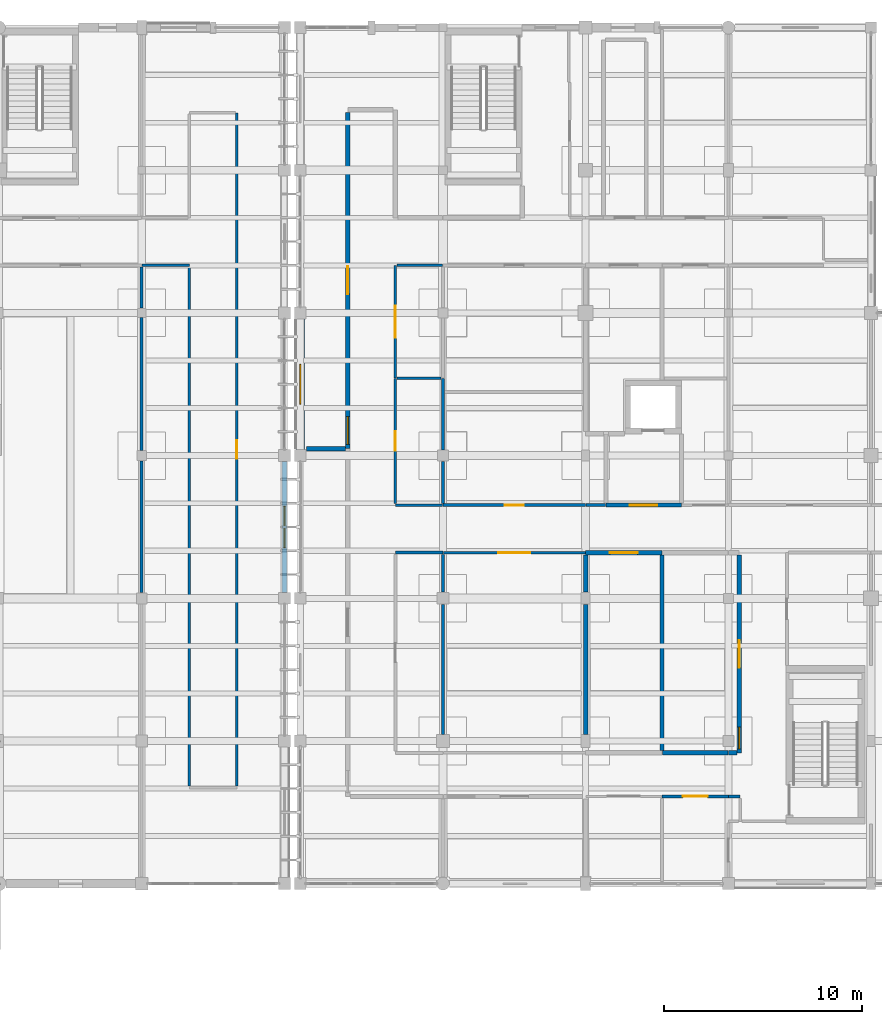
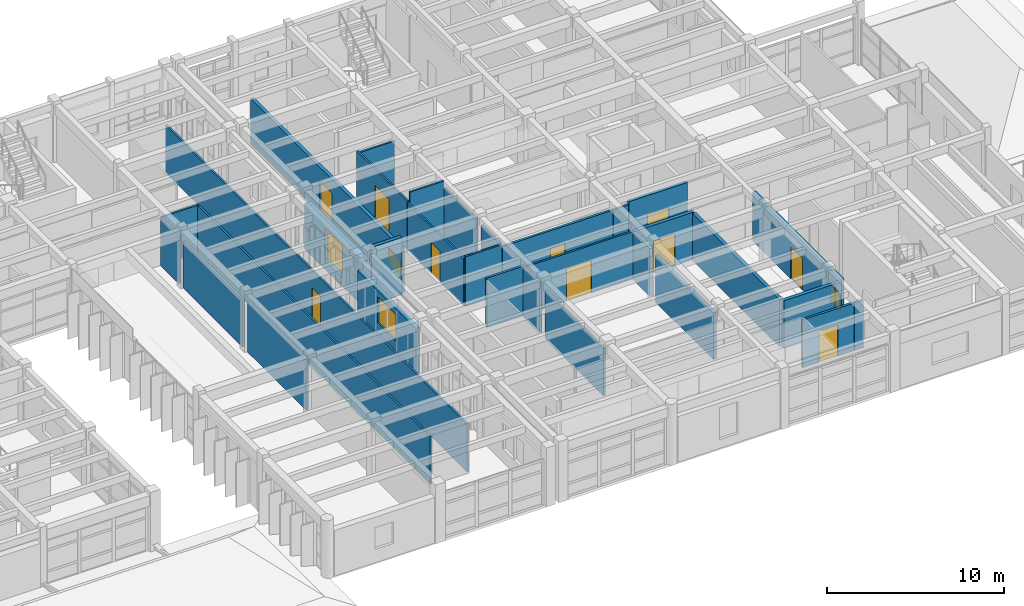
# One storey, part 78 of 100: 33 walls, 10 doors, 4 windows, 14 openings.
"""IFC4 building model written with IfcOpenShell, lengths in metres."""

from ifc_helpers import new_model, si_unit, direction, frame, frame_2d, origin, place, context, subcontext, project, spatial, rectangle, extrude, material, layer, layer_set, type_object, element, fill, save


model = new_model("IFC4")

# Units and contexts
model_context = context("Model", 3, precision=1e-05, world=origin(), true_north=direction((0.0, 1.0)))
body_context = subcontext(model_context, "Body", "Model", "MODEL_VIEW")
ifc_project = project(units=[si_unit("LENGTHUNIT", "METRE"), si_unit("AREAUNIT", "SQUARE_METRE"), si_unit("VOLUMEUNIT", "CUBIC_METRE"), si_unit("PLANEANGLEUNIT", "RADIAN"), si_unit("MASSUNIT", "GRAM", prefix="KILO")], contexts=[model_context])

# Site, building, storey
site_placement = place(None, origin())
site = spatial("IfcSite", under=ifc_project, at=site_placement, CompositionType="ELEMENT")
building_placement = place(site_placement, origin())
building = spatial("IfcBuilding", under=site, at=building_placement, Name="Steenspoor Specialist Clinic", CompositionType="ELEMENT")
storey_placement = place(building_placement, frame((0.0, 0.0, 9.0)))
storey = spatial("IfcBuildingStorey", under=building, at=storey_placement, Name="L02", CompositionType="ELEMENT", Elevation=9.0)

# Wall, opening, window
ifc_material_1 = material(Name="Extruded clay brick masonry", Category="masonry")
ifc_layer_1 = layer(ifc_material_1, 0.43994140625)
ifc_layer_set_1 = layer_set([ifc_layer_1], Name="Extruded clay brick masonry")
wall_type_1 = type_object("IfcWallType", Name="W-BRICK-440", PredefinedType="USERDEFINED", material=ifc_layer_set_1)
wall_1_placement = place(storey_placement, frame((118.0, 87.050048828125, 0.0), z_axis=(0.0, 0.0, 1.0), x_axis=(0.0, 1.0, 0.0)))
wall_1 = element("IfcWall", 1, at=wall_1_placement, inside=storey, type_object=wall_type_1, Name="Exterior Brick Wall EW-V6-L02-0330", ObjectType="CAVITY VENEER", PredefinedType="USERDEFINED", context=body_context, shape_type="SweptSolid", body=[
    extrude(rectangle(XDim=6.599853515625, YDim=0.43994140625, at=frame_2d((3.2998046875, 0.0))), origin(), (0.0, 0.0, 1.0), 3.1298828125),
])
opening_1_placement = place(wall_1_placement, frame((2.300048828125, 0.0, 0.60009765625)))
opening_1 = element("IfcOpeningElement", 2, at=opening_1_placement, cuts=wall_1, Name="Opening WN-17", PredefinedType="OPENING", context=body_context, shape_type="SweptSolid", body=[
    extrude(rectangle(XDim=2.0, YDim=2.199951171875, at=frame_2d((1.0, 1.10009765625))), frame((0.0, 0.22998046875, 0.0), z_axis=(0.0, -1.0, 0.0), x_axis=(1.0, 0.0, 0.0)), (0.0, 0.0, 1.0), 0.4599609375),
])
ifc_material_2 = material(Name="Thermally broken aluminium and low-emissivity glass", Category="aluminium")
window_type_1 = type_object("IfcWindowType", Name="WN-EXT-200X220", PartitioningType="SINGLE_PANEL", PredefinedType="WINDOW", material=ifc_material_2)
window_1_placement = place(opening_1_placement, origin())
window_1 = element("IfcWindow", 3, at=window_1_placement, inside=storey, type_object=window_type_1, Name="Window 0351", OverallHeight=2.199951171875, OverallWidth=2.0, PartitioningType="SINGLE_PANEL", PredefinedType="WINDOW", context=body_context, shape_type="SweptSolid", body=[
    extrude(rectangle(XDim=2.0, YDim=2.199951171875, at=frame_2d((1.0, 1.10009765625))), frame((0.0, 0.030029296875, 0.0), z_axis=(0.0, -1.0, 0.0), x_axis=(1.0, 0.0, 0.0)), (0.0, 0.0, 1.0), 0.06005859375),
])
fill(opening_1, window_1)

# Wall, opening, door
ifc_material_3 = material(Name="Gypsum acoustic clinical partition", Category="gypsum")
ifc_layer_2 = layer(ifc_material_3, 0.14990234375)
ifc_layer_set_2 = layer_set([ifc_layer_2], Name="Gypsum acoustic clinical partition")
wall_type_2 = type_object("IfcWallType", Name="W-CLIN-150", PredefinedType="PARTITIONING", material=ifc_layer_set_2)
wall_2_placement = place(storey_placement, frame((136.25, 69.550048828125, 0.0), z_axis=(0.0, 0.0, 1.0), x_axis=(1.0, 0.0, 0.0)))
wall_2 = element("IfcWall", 4, at=wall_2_placement, inside=storey, type_object=wall_type_2, Name="Interior Partition IW-V6-L02-1361", PredefinedType="PARTITIONING", context=body_context, shape_type="SweptSolid", body=[
    extrude(rectangle(XDim=3.35009765625, YDim=0.14990234375, at=frame_2d((1.675048828125, 0.0))), origin(), (0.0, 0.0, 1.0), 3.284912109375),
])
opening_2_placement = place(wall_2_placement, frame((1.050048828125, 0.0, 0.0)))
opening_2 = element("IfcOpeningElement", 5, at=opening_2_placement, cuts=wall_2, Name="Opening D0458", PredefinedType="OPENING", context=body_context, shape_type="SweptSolid", body=[
    extrude(rectangle(XDim=1.25, YDim=2.14990234375, at=frame_2d((0.625, 1.074951171875))), frame((0.0, 0.0849609375, 0.0), z_axis=(0.0, -1.0, 0.0), x_axis=(1.0, 0.0, 0.0)), (0.0, 0.0, 1.0), 0.169921875),
])
ifc_material_4 = material(Name="Hygienic HPL clinical timber door", Category="wood")
door_type_1 = type_object("IfcDoorType", Name="DT-EXAM-125X215", OperationType="NOTDEFINED", PredefinedType="DOOR", material=ifc_material_4)
door_1_placement = place(opening_2_placement, origin())
door_1 = element("IfcDoor", 6, at=door_1_placement, inside=storey, type_object=door_type_1, Name="Clinical Door D0458", OperationType="SINGLE_SWING_LEFT", OverallHeight=2.14990234375, OverallWidth=1.25, PredefinedType="DOOR", context=body_context, shape_type="SweptSolid", body=[
    extrude(rectangle(XDim=1.25, YDim=2.14990234375, at=frame_2d((0.625, 1.074951171875))), frame((0.0, 0.02490234375, 0.0), z_axis=(0.0, -1.0, 0.0), x_axis=(1.0, 0.0, 0.0)), (0.0, 0.0, 1.0), 0.050048828125),
])
fill(opening_2, door_1)

# Walls
wall_3_placement = place(storey_placement, frame((139.614990234375, 69.550048828125, 0.0), z_axis=(0.0, 0.0, 1.0), x_axis=(1.0, 0.0, 0.0)))
element("IfcWall", 7, at=wall_3_placement, inside=storey, type_object=wall_type_2, Name="Interior Partition IW-V6-L02-1362", PredefinedType="PARTITIONING", context=body_context, shape_type="SweptSolid", body=[
    extrude(rectangle(XDim=0.5849609375, YDim=0.14990234375, at=frame_2d((0.29248046875, 0.0))), origin(), (0.0, 0.0, 1.0), 3.284912109375),
])
wall_4_placement = place(storey_placement, frame((122.800048828125, 81.85009765625, 0.0), z_axis=(0.0, 0.0, 1.0), x_axis=(1.0, 0.0, 0.0)))
element("IfcWall", 8, at=wall_4_placement, inside=storey, type_object=wall_type_2, Name="Interior Partition IW-V6-L02-1366", PredefinedType="PARTITIONING", context=body_context, shape_type="SweptSolid", body=[
    extrude(rectangle(XDim=2.39990234375, YDim=0.14990234375, at=frame_2d((1.199951171875, 0.0))), origin(), (0.0, 0.0, 1.0), 3.4150390625),
])

# Wall, opening, door
wall_5_placement = place(storey_placement, frame((125.199951171875, 84.25, 0.0), z_axis=(0.0, 0.0, 1.0), x_axis=(1.0, 0.0, 0.0)))
wall_5 = element("IfcWall", 9, at=wall_5_placement, inside=storey, type_object=wall_type_2, Name="Interior Partition IW-V6-L02-1371", PredefinedType="PARTITIONING", context=body_context, shape_type="SweptSolid", body=[
    extrude(rectangle(XDim=7.199951171875, YDim=0.14990234375, at=frame_2d((3.60009765625, 0.0))), origin(), (0.0, 0.0, 1.0), 3.284912109375),
])
opening_3_placement = place(wall_5_placement, frame((3.125, 0.0, 0.0)))
opening_3 = element("IfcOpeningElement", 10, at=opening_3_placement, cuts=wall_5, Name="Opening D0468", PredefinedType="OPENING", context=body_context, shape_type="SweptSolid", body=[
    extrude(rectangle(XDim=0.949951171875, YDim=2.10009765625, at=frame_2d((0.47509765625, 1.050048828125))), frame((0.0, 0.0849609375, 0.0), z_axis=(0.0, -1.0, 0.0), x_axis=(1.0, 0.0, 0.0)), (0.0, 0.0, 1.0), 0.169921875),
])
ifc_material_5 = material(Name="Moisture-resistant HPL sanitary door", Category="wood")
door_type_2 = type_object("IfcDoorType", Name="DT-WC-095X210", OperationType="NOTDEFINED", PredefinedType="DOOR", material=ifc_material_5)
door_2_placement = place(opening_3_placement, origin())
door_2 = element("IfcDoor", 11, at=door_2_placement, inside=storey, type_object=door_type_2, Name="Clinical Door D0468", OperationType="SINGLE_SWING_LEFT", OverallHeight=2.10009765625, OverallWidth=0.949951171875, PredefinedType="DOOR", context=body_context, shape_type="SweptSolid", body=[
    extrude(rectangle(XDim=0.949951171875, YDim=2.10009765625, at=frame_2d((0.47509765625, 1.050048828125))), frame((0.0, 0.02490234375, 0.0), z_axis=(0.0, -1.0, 0.0), x_axis=(1.0, 0.0, 0.0)), (0.0, 0.0, 1.0), 0.050048828125),
])
fill(opening_3, door_2)

# Walls
wall_6_placement = place(storey_placement, frame((132.4150390625, 84.25, 0.0), z_axis=(0.0, 0.0, 1.0), x_axis=(1.0, 0.0, 0.0)))
element("IfcWall", 12, at=wall_6_placement, inside=storey, type_object=wall_type_2, Name="Interior Partition IW-V6-L02-1372", PredefinedType="PARTITIONING", context=body_context, shape_type="SweptSolid", body=[
    extrude(rectangle(XDim=0.994873046875, YDim=0.14990234375, at=frame_2d((0.49755859375, 0.0))), origin(), (0.0, 0.0, 1.0), 3.284912109375),
])
wall_7_placement = place(storey_placement, frame((110.0, 79.840087890625, 0.0), z_axis=(0.0, 0.0, 1.0), x_axis=(0.0, 1.0, 0.0)))
element("IfcWall", 13, at=wall_7_placement, inside=storey, type_object=wall_type_2, Name="Interior Partition IW-V4-L02-1467", PredefinedType="PARTITIONING", context=body_context, shape_type="SweptSolid", body=[
    extrude(rectangle(XDim=6.64501953125, YDim=0.14990234375, at=frame_2d((3.322509765625, 0.0))), origin(), (0.0, 0.0, 1.0), 3.455078125),
])
wall_8_placement = place(storey_placement, frame((110.0, 87.014892578125, 0.0), z_axis=(0.0, 0.0, 1.0), x_axis=(0.0, 1.0, 0.0)))
element("IfcWall", 14, at=wall_8_placement, inside=storey, type_object=wall_type_2, Name="Interior Partition IW-V4-L02-1468", PredefinedType="PARTITIONING", context=body_context, shape_type="SweptSolid", body=[
    extrude(rectangle(XDim=6.695068359375, YDim=0.14990234375, at=frame_2d((3.34765625, 0.0))), origin(), (0.0, 0.0, 1.0), 3.215087890625),
])
wall_9_placement = place(storey_placement, frame((110.0, 94.18994140625, 0.0), z_axis=(0.0, 0.0, 1.0), x_axis=(0.0, 1.0, 0.0)))
element("IfcWall", 15, at=wall_9_placement, inside=storey, type_object=wall_type_2, Name="Interior Partition IW-V4-L02-1469", PredefinedType="PARTITIONING", context=body_context, shape_type="SweptSolid", body=[
    extrude(rectangle(XDim=2.070068359375, YDim=0.14990234375, at=frame_2d((1.03515625, 0.0))), origin(), (0.0, 0.0, 1.0), 3.284912109375),
])
wall_10_placement = place(storey_placement, frame((125.199951171875, 72.68994140625, 0.0), z_axis=(0.0, 0.0, 1.0), x_axis=(0.0, 1.0, 0.0)))
element("IfcWall", 16, at=wall_10_placement, inside=storey, type_object=wall_type_2, Name="Interior Partition IW-V6-L02-1490", PredefinedType="PARTITIONING", context=body_context, shape_type="SweptSolid", body=[
    extrude(rectangle(XDim=6.545166015625, YDim=0.14990234375, at=frame_2d((3.2724609375, 0.0))), origin(), (0.0, 0.0, 1.0), 3.284912109375),
])
wall_11_placement = place(storey_placement, frame((125.199951171875, 79.864990234375, 0.0), z_axis=(0.0, 0.0, 1.0), x_axis=(0.0, 1.0, 0.0)))
element("IfcWall", 17, at=wall_11_placement, inside=storey, type_object=wall_type_2, Name="Interior Partition IW-V6-L02-1491", PredefinedType="PARTITIONING", context=body_context, shape_type="SweptSolid", body=[
    extrude(rectangle(XDim=1.89501953125, YDim=0.14990234375, at=frame_2d((0.947509765625, 0.0))), origin(), (0.0, 0.0, 1.0), 3.4150390625),
])
wall_12_placement = place(storey_placement, frame((125.199951171875, 84.340087890625, 0.0), z_axis=(0.0, 0.0, 1.0), x_axis=(0.0, 1.0, 0.0)))
element("IfcWall", 18, at=wall_12_placement, inside=storey, type_object=wall_type_2, Name="Interior Partition IW-V6-L02-1492", PredefinedType="PARTITIONING", context=body_context, shape_type="SweptSolid", body=[
    extrude(rectangle(XDim=2.119873046875, YDim=0.14990234375, at=frame_2d((1.06005859375, 0.0))), origin(), (0.0, 0.0, 1.0), 3.4150390625),
])
wall_13_placement = place(storey_placement, frame((125.199951171875, 87.0400390625, 0.0), z_axis=(0.0, 0.0, 1.0), x_axis=(0.0, 1.0, 0.0)))
element("IfcWall", 19, at=wall_13_placement, inside=storey, type_object=wall_type_2, Name="Interior Partition IW-V6-L02-1493", PredefinedType="PARTITIONING", context=body_context, shape_type="SweptSolid", body=[
    extrude(rectangle(XDim=3.60986328125, YDim=0.14990234375, at=frame_2d((1.804931640625, 0.0))), origin(), (0.0, 0.0, 1.0), 3.455078125),
])

# Wall, opening, door
ifc_material_6 = material(Name="Fire-rated clay blockwork masonry", Category="masonry")
ifc_layer_3 = layer(ifc_material_6, 0.219970703125)
ifc_layer_set_3 = layer_set([ifc_layer_3], Name="Fire-rated clay blockwork masonry")
wall_type_3 = type_object("IfcWallType", Name="W-FIRE-220", PredefinedType="PARTITIONING", material=ifc_layer_set_3)
wall_14_placement = place(storey_placement, frame((132.39990234375, 81.85009765625, 0.0), z_axis=(0.0, 0.0, 1.0), x_axis=(1.0, 0.0, 0.0)))
wall_14 = element("IfcWall", 20, at=wall_14_placement, inside=storey, type_object=wall_type_3, Name="Interior Partition IW-V6-L02-1273", PredefinedType="PARTITIONING", context=body_context, shape_type="SweptSolid", body=[
    extrude(rectangle(XDim=3.85009765625, YDim=0.219970703125, at=frame_2d((1.925048828125, 0.0))), origin(), (0.0, 0.0, 1.0), 3.284912109375),
])
opening_4_placement = place(wall_14_placement, frame((1.22509765625, 0.0, 0.0)))
opening_4 = element("IfcOpeningElement", 21, at=opening_4_placement, cuts=wall_14, Name="Opening D0464", PredefinedType="OPENING", context=body_context, shape_type="SweptSolid", body=[
    extrude(rectangle(XDim=1.39990234375, YDim=2.199951171875, at=frame_2d((0.699951171875, 1.10009765625))), frame((0.0, 0.1201171875, 0.0), z_axis=(0.0, -1.0, 0.0), x_axis=(1.0, 0.0, 0.0)), (0.0, 0.0, 1.0), 0.239990234375),
])
ifc_material_7 = material(Name="Fire-rated clinical laminate door", Category="steel")
door_type_3 = type_object("IfcDoorType", Name="DT-LAB-140X220", OperationType="NOTDEFINED", PredefinedType="DOOR", material=ifc_material_7)
door_3_placement = place(opening_4_placement, origin())
door_3 = element("IfcDoor", 22, at=door_3_placement, inside=storey, type_object=door_type_3, Name="Clinical Door D0464", OperationType="SINGLE_SWING_LEFT", OverallHeight=2.199951171875, OverallWidth=1.39990234375, PredefinedType="DOOR", context=body_context, shape_type="SweptSolid", body=[
    extrude(rectangle(XDim=1.39990234375, YDim=2.199951171875, at=frame_2d((0.699951171875, 1.10009765625))), frame((0.0, 0.02490234375, 0.0), z_axis=(0.0, -1.0, 0.0), x_axis=(1.0, 0.0, 0.0)), (0.0, 0.0, 1.0), 0.050048828125),
])
fill(opening_4, door_3)

# Wall, openings, door, window
wall_15_placement = place(storey_placement, frame((140.14990234375, 71.75, 0.0), z_axis=(0.0, 0.0, 1.0), x_axis=(0.0, 1.0, 0.0)))
wall_15 = element("IfcWall", 23, at=wall_15_placement, inside=storey, type_object=wall_type_3, Name="Interior Partition IW-V6-L02-1276", PredefinedType="PARTITIONING", context=body_context, shape_type="SweptSolid", body=[
    extrude(rectangle(XDim=9.97509765625, YDim=0.219970703125, at=frame_2d((4.987548828125, 0.0))), origin(), (0.0, 0.0, 1.0), 3.35498046875),
])
opening_5_placement = place(wall_15_placement, frame((4.28759765625, 0.0, 0.0)))
opening_5 = element("IfcOpeningElement", 24, at=opening_5_placement, cuts=wall_15, Name="Opening D0465", PredefinedType="OPENING", context=body_context, shape_type="SweptSolid", body=[
    extrude(rectangle(XDim=1.39990234375, YDim=2.199951171875, at=frame_2d((0.699951171875, 1.10009765625))), frame((0.0, 0.1201171875, 0.0), z_axis=(0.0, -1.0, 0.0), x_axis=(1.0, 0.0, 0.0)), (0.0, 0.0, 1.0), 0.239990234375),
])
opening_6_placement = place(wall_15_placement, frame((0.199951171875, 0.0, 1.050048828125)))
opening_6 = element("IfcOpeningElement", 25, at=opening_6_placement, cuts=wall_15, Name="Opening IWN-02", PredefinedType="OPENING", context=body_context, shape_type="SweptSolid", body=[
    extrude(rectangle(XDim=1.10009765625, YDim=1.10009765625, at=frame_2d((0.550048828125, 0.550048828125))), frame((0.0, 0.1201171875, 0.0), z_axis=(0.0, -1.0, 0.0), x_axis=(1.0, 0.0, 0.0)), (0.0, 0.0, 1.0), 0.239990234375),
])
door_4_placement = place(opening_5_placement, origin())
door_4 = element("IfcDoor", 26, at=door_4_placement, inside=storey, type_object=door_type_3, Name="Clinical Door D0465", OperationType="SINGLE_SWING_RIGHT", OverallHeight=2.199951171875, OverallWidth=1.39990234375, PredefinedType="DOOR", context=body_context, shape_type="SweptSolid", body=[
    extrude(rectangle(XDim=1.39990234375, YDim=2.199951171875, at=frame_2d((0.699951171875, 1.10009765625))), frame((0.0, 0.02490234375, 0.0), z_axis=(0.0, -1.0, 0.0), x_axis=(1.0, 0.0, 0.0)), (0.0, 0.0, 1.0), 0.050048828125),
])
fill(opening_5, door_4)
window_type_2 = type_object("IfcWindowType", Name="IWND-OBS-110X110", PartitioningType="SINGLE_PANEL", PredefinedType="WINDOW", material=ifc_material_2)
window_2_placement = place(opening_6_placement, origin())
window_2 = element("IfcWindow", 27, at=window_2_placement, inside=storey, type_object=window_type_2, Name="Observation Window 024", OverallHeight=1.10009765625, OverallWidth=1.10009765625, PartitioningType="SINGLE_PANEL", PredefinedType="WINDOW", context=body_context, shape_type="SweptSolid", body=[
    extrude(rectangle(XDim=1.10009765625, YDim=1.10009765625, at=frame_2d((0.550048828125, 0.550048828125))), frame((0.0, 0.030029296875, 0.0), z_axis=(0.0, -1.0, 0.0), x_axis=(1.0, 0.0, 0.0)), (0.0, 0.0, 1.0), 0.06005859375),
])
fill(opening_6, window_2)

# Walls
wall_16_placement = place(storey_placement, frame((139.60009765625, 71.75, 0.0), z_axis=(0.0, 0.0, 1.0), x_axis=(1.0, 0.0, 0.0)))
element("IfcWall", 28, at=wall_16_placement, inside=storey, type_object=wall_type_3, Name="Interior Partition IW-V6-L02-1277", PredefinedType="PARTITIONING", context=body_context, shape_type="SweptSolid", body=[
    extrude(rectangle(XDim=0.4248046875, YDim=0.219970703125, at=frame_2d((0.21240234375, 0.0))), origin(), (0.0, 0.0, 1.0), 3.284912109375),
])
wall_17_placement = place(storey_placement, frame((136.264892578125, 71.75, 0.0), z_axis=(0.0, 0.0, 1.0), x_axis=(1.0, 0.0, 0.0)))
element("IfcWall", 29, at=wall_17_placement, inside=storey, type_object=wall_type_3, Name="Interior Partition IW-V6-L02-1278", PredefinedType="PARTITIONING", context=body_context, shape_type="SweptSolid", body=[
    extrude(rectangle(XDim=3.320068359375, YDim=0.219970703125, at=frame_2d((1.66015625, 0.0))), origin(), (0.0, 0.0, 1.0), 3.284912109375),
])

# Wall, openings, door, window
wall_18_placement = place(storey_placement, frame((120.39990234375, 87.114990234375, 0.0), z_axis=(0.0, 0.0, 1.0), x_axis=(0.0, 1.0, 0.0)))
wall_18 = element("IfcWall", 30, at=wall_18_placement, inside=storey, type_object=wall_type_3, Name="Interior Partition IW-V6-L02-1282", PredefinedType="PARTITIONING", context=body_context, shape_type="SweptSolid", body=[
    extrude(rectangle(XDim=16.9599609375, YDim=0.219970703125, at=frame_2d((8.47998046875, 0.0))), origin(), (0.0, 0.0, 1.0), 3.135009765625),
])
opening_7_placement = place(wall_18_placement, frame((7.780029296875, 0.0, 0.0)))
opening_7 = element("IfcOpeningElement", 31, at=opening_7_placement, cuts=wall_18, Name="Opening D0472", PredefinedType="OPENING", context=body_context, shape_type="SweptSolid", body=[
    extrude(rectangle(XDim=1.39990234375, YDim=2.199951171875, at=frame_2d((0.699951171875, 1.10009765625))), frame((0.0, 0.1201171875, 0.0), z_axis=(0.0, -1.0, 0.0), x_axis=(1.0, 0.0, 0.0)), (0.0, 0.0, 1.0), 0.239990234375),
])
opening_8_placement = place(wall_18_placement, frame((0.199951171875, 0.0, 1.050048828125)))
opening_8 = element("IfcOpeningElement", 32, at=opening_8_placement, cuts=wall_18, Name="Opening IWN-01", PredefinedType="OPENING", context=body_context, shape_type="SweptSolid", body=[
    extrude(rectangle(XDim=1.39990234375, YDim=1.10009765625, at=frame_2d((0.699951171875, 0.550048828125))), frame((0.0, 0.1201171875, 0.0), z_axis=(0.0, -1.0, 0.0), x_axis=(1.0, 0.0, 0.0)), (0.0, 0.0, 1.0), 0.239990234375),
])
door_5_placement = place(opening_7_placement, origin())
door_5 = element("IfcDoor", 33, at=door_5_placement, inside=storey, type_object=door_type_3, Name="Clinical Door D0472", OperationType="SINGLE_SWING_LEFT", OverallHeight=2.199951171875, OverallWidth=1.39990234375, PredefinedType="DOOR", context=body_context, shape_type="SweptSolid", body=[
    extrude(rectangle(XDim=1.39990234375, YDim=2.199951171875, at=frame_2d((0.699951171875, 1.10009765625))), frame((0.0, 0.02490234375, 0.0), z_axis=(0.0, -1.0, 0.0), x_axis=(1.0, 0.0, 0.0)), (0.0, 0.0, 1.0), 0.050048828125),
])
fill(opening_7, door_5)
window_type_3 = type_object("IfcWindowType", Name="IWND-OBS-140X110", PartitioningType="SINGLE_PANEL", PredefinedType="WINDOW", material=ifc_material_2)
window_3_placement = place(opening_8_placement, origin())
window_3 = element("IfcWindow", 34, at=window_3_placement, inside=storey, type_object=window_type_3, Name="Observation Window 025", OverallHeight=1.10009765625, OverallWidth=1.39990234375, PartitioningType="SINGLE_PANEL", PredefinedType="WINDOW", context=body_context, shape_type="SweptSolid", body=[
    extrude(rectangle(XDim=1.39990234375, YDim=1.10009765625, at=frame_2d((0.699951171875, 0.550048828125))), frame((0.0, 0.030029296875, 0.0), z_axis=(0.0, -1.0, 0.0), x_axis=(1.0, 0.0, 0.0)), (0.0, 0.0, 1.0), 0.06005859375),
])
fill(opening_8, window_3)

# Walls
wall_19_placement = place(storey_placement, frame((118.31494140625, 87.10009765625, 0.0), z_axis=(0.0, 0.0, 1.0), x_axis=(1.0, 0.0, 0.0)))
element("IfcWall", 35, at=wall_19_placement, inside=storey, type_object=wall_type_3, Name="Interior Partition IW-V6-L02-1435", PredefinedType="PARTITIONING", context=body_context, shape_type="SweptSolid", body=[
    extrude(rectangle(XDim=1.9599609375, YDim=0.219970703125, at=frame_2d((0.97998046875, 0.0))), origin(), (0.0, 0.0, 1.0), 3.949951171875),
])
wall_20_placement = place(storey_placement, frame((132.39990234375, 72.68994140625, 0.0), z_axis=(0.0, 0.0, 1.0), x_axis=(0.0, 1.0, 0.0)))
element("IfcWall", 36, at=wall_20_placement, inside=storey, type_object=wall_type_3, Name="Interior Partition IW-V6-L02-1437", PredefinedType="PARTITIONING", context=body_context, shape_type="SweptSolid", body=[
    extrude(rectangle(XDim=6.545166015625, YDim=0.219970703125, at=frame_2d((3.2724609375, 0.0))), origin(), (0.0, 0.0, 1.0), 3.215087890625),
])
wall_21_placement = place(storey_placement, frame((132.39990234375, 79.864990234375, 0.0), z_axis=(0.0, 0.0, 1.0), x_axis=(0.0, 1.0, 0.0)))
element("IfcWall", 37, at=wall_21_placement, inside=storey, type_object=wall_type_3, Name="Interior Partition IW-V6-L02-1438", PredefinedType="PARTITIONING", context=body_context, shape_type="SweptSolid", body=[
    extrude(rectangle(XDim=1.860107421875, YDim=0.219970703125, at=frame_2d((0.93017578125, 0.0))), origin(), (0.0, 0.0, 1.0), 3.284912109375),
])
wall_22_placement = place(storey_placement, frame((136.25, 71.875, 0.0), z_axis=(0.0, 0.0, 1.0), x_axis=(0.0, 1.0, 0.0)))
element("IfcWall", 38, at=wall_22_placement, inside=storey, type_object=wall_type_3, Name="Interior Partition IW-V6-L02-1439", PredefinedType="PARTITIONING", context=body_context, shape_type="SweptSolid", body=[
    extrude(rectangle(XDim=9.85009765625, YDim=0.219970703125, at=frame_2d((4.925048828125, 0.0))), origin(), (0.0, 0.0, 1.0), 3.235107421875),
])

# Wall, opening, door
ifc_material_8 = material(Name="Gypsum studio partition board", Category="gypsum")
ifc_layer_4 = layer(ifc_material_8, 0.1201171875)
ifc_layer_set_4 = layer_set([ifc_layer_4], Name="Gypsum studio partition board")
wall_type_4 = type_object("IfcWallType", Name="W-PART-120", PredefinedType="PARTITIONING", material=ifc_layer_set_4)
wall_23_placement = place(storey_placement, frame((114.800048828125, 70.074951171875, 0.0), z_axis=(0.0, 0.0, 1.0), x_axis=(0.0, 1.0, 0.0)))
wall_23 = element("IfcWall", 39, at=wall_23_placement, inside=storey, type_object=wall_type_4, Name="Interior Partition IW-V4-L02-1382", PredefinedType="PARTITIONING", context=body_context, shape_type="SweptSolid", body=[
    extrude(rectangle(XDim=33.97509765625, YDim=0.1201171875, at=frame_2d((16.987548828125, 0.0))), origin(), (0.0, 0.0, 1.0), 3.284912109375),
])
opening_9_placement = place(wall_23_placement, frame((16.512451171875, 0.0, 0.0)))
opening_9 = element("IfcOpeningElement", 40, at=opening_9_placement, cuts=wall_23, Name="Opening D0234", PredefinedType="OPENING", context=body_context, shape_type="SweptSolid", body=[
    extrude(rectangle(XDim=0.949951171875, YDim=2.10009765625, at=frame_2d((0.47509765625, 1.050048828125))), frame((0.0, 0.070068359375, 0.0), z_axis=(0.0, -1.0, 0.0), x_axis=(1.0, 0.0, 0.0)), (0.0, 0.0, 1.0), 0.14013671875),
])
door_6_placement = place(opening_9_placement, origin())
door_6 = element("IfcDoor", 41, at=door_6_placement, inside=storey, type_object=door_type_2, Name="Clinical Door D0234", OperationType="SINGLE_SWING_LEFT", OverallHeight=2.10009765625, OverallWidth=0.949951171875, PredefinedType="DOOR", context=body_context, shape_type="SweptSolid", body=[
    extrude(rectangle(XDim=0.949951171875, YDim=2.10009765625, at=frame_2d((0.47509765625, 1.050048828125))), frame((0.0, 0.02490234375, 0.0), z_axis=(0.0, -1.0, 0.0), x_axis=(1.0, 0.0, 0.0)), (0.0, 0.0, 1.0), 0.050048828125),
])
fill(opening_9, door_6)

# Walls
wall_24_placement = place(storey_placement, frame((110.014892578125, 96.35009765625, 0.0), z_axis=(0.0, 0.0, 1.0), x_axis=(1.0, 0.0, 0.0)))
element("IfcWall", 42, at=wall_24_placement, inside=storey, type_object=wall_type_4, Name="Interior Partition IW-V4-L02-1386", PredefinedType="PARTITIONING", context=body_context, shape_type="SweptSolid", body=[
    extrude(rectangle(XDim=2.385009765625, YDim=0.1201171875, at=frame_2d((1.1923828125, 0.0))), origin(), (0.0, 0.0, 1.0), 3.284912109375),
])
wall_25_placement = place(storey_placement, frame((112.39990234375, 70.074951171875, 0.0), z_axis=(0.0, 0.0, 1.0), x_axis=(0.0, 1.0, 0.0)))
element("IfcWall", 43, at=wall_25_placement, inside=storey, type_object=wall_type_4, Name="Interior Partition IW-V4-L02-1387", PredefinedType="PARTITIONING", context=body_context, shape_type="SweptSolid", body=[
    extrude(rectangle(XDim=26.199951171875, YDim=0.1201171875, at=frame_2d((13.10009765625, 0.0))), origin(), (0.0, 0.0, 1.0), 3.284912109375),
])

# Wall, opening, door
wall_26_placement = place(storey_placement, frame((125.215087890625, 81.85009765625, 0.0), z_axis=(0.0, 0.0, 1.0), x_axis=(1.0, 0.0, 0.0)))
wall_26 = element("IfcWall", 44, at=wall_26_placement, inside=storey, type_object=wall_type_4, Name="Interior Partition IW-V6-L02-1405", PredefinedType="PARTITIONING", context=body_context, shape_type="SweptSolid", body=[
    extrude(rectangle(XDim=7.169921875, YDim=0.1201171875, at=frame_2d((3.5849609375, 0.0))), origin(), (0.0, 0.0, 1.0), 3.284912109375),
])
opening_10_placement = place(wall_26_placement, frame((2.784912109375, 0.0, 0.0)))
opening_10 = element("IfcOpeningElement", 45, at=opening_10_placement, cuts=wall_26, Name="Opening D0463", PredefinedType="OPENING", context=body_context, shape_type="SweptSolid", body=[
    extrude(rectangle(XDim=1.60009765625, YDim=2.25, at=frame_2d((0.800048828125, 1.125))), frame((0.0, 0.070068359375, 0.0), z_axis=(0.0, -1.0, 0.0), x_axis=(1.0, 0.0, 0.0)), (0.0, 0.0, 1.0), 0.14013671875),
])
door_type_4 = type_object("IfcDoorType", Name="DT-PROC-160X225", OperationType="NOTDEFINED", PredefinedType="DOOR", material=ifc_material_4)
door_7_placement = place(opening_10_placement, origin())
door_7 = element("IfcDoor", 46, at=door_7_placement, inside=storey, type_object=door_type_4, Name="Clinical Door D0463", OperationType="SINGLE_SWING_RIGHT", OverallHeight=2.25, OverallWidth=1.60009765625, PredefinedType="DOOR", context=body_context, shape_type="SweptSolid", body=[
    extrude(rectangle(XDim=1.60009765625, YDim=2.25, at=frame_2d((0.800048828125, 1.125))), frame((0.0, 0.02490234375, 0.0), z_axis=(0.0, -1.0, 0.0), x_axis=(1.0, 0.0, 0.0)), (0.0, 0.0, 1.0), 0.050048828125),
])
fill(opening_10, door_7)

# Wall
wall_27_placement = place(storey_placement, frame((122.800048828125, 84.25, 0.0), z_axis=(0.0, 0.0, 1.0), x_axis=(1.0, 0.0, 0.0)))
element("IfcWall", 47, at=wall_27_placement, inside=storey, type_object=wall_type_4, Name="Interior Partition IW-V6-L02-1407", PredefinedType="PARTITIONING", context=body_context, shape_type="SweptSolid", body=[
    extrude(rectangle(XDim=2.385009765625, YDim=0.1201171875, at=frame_2d((1.1923828125, 0.0))), origin(), (0.0, 0.0, 1.0), 3.4150390625),
])

# Wall, opening, door
wall_28_placement = place(storey_placement, frame((122.800048828125, 84.324951171875, 0.0), z_axis=(0.0, 0.0, 1.0), x_axis=(0.0, 1.0, 0.0)))
wall_28 = element("IfcWall", 48, at=wall_28_placement, inside=storey, type_object=wall_type_4, Name="Interior Partition IW-V6-L02-1408", PredefinedType="PARTITIONING", context=body_context, shape_type="SweptSolid", body=[
    extrude(rectangle(XDim=6.324951171875, YDim=0.1201171875, at=frame_2d((3.16259765625, 0.0))), origin(), (0.0, 0.0, 1.0), 3.235107421875),
])
opening_11_placement = place(wall_28_placement, frame((2.66259765625, 0.0, 0.0)))
opening_11 = element("IfcOpeningElement", 49, at=opening_11_placement, cuts=wall_28, Name="Opening D0467", PredefinedType="OPENING", context=body_context, shape_type="SweptSolid", body=[
    extrude(rectangle(XDim=1.0, YDim=2.14990234375, at=frame_2d((0.5, 1.074951171875))), frame((0.0, 0.070068359375, 0.0), z_axis=(0.0, -1.0, 0.0), x_axis=(1.0, 0.0, 0.0)), (0.0, 0.0, 1.0), 0.14013671875),
])
ifc_material_9 = material(Name="Moisture-resistant HPL accessible WC door", Category="wood")
door_type_5 = type_object("IfcDoorType", Name="DT-AWC-100X215", OperationType="NOTDEFINED", PredefinedType="DOOR", material=ifc_material_9)
door_8_placement = place(opening_11_placement, origin())
door_8 = element("IfcDoor", 50, at=door_8_placement, inside=storey, type_object=door_type_5, Name="Clinical Door D0467", OperationType="SINGLE_SWING_RIGHT", OverallHeight=2.14990234375, OverallWidth=1.0, PredefinedType="DOOR", context=body_context, shape_type="SweptSolid", body=[
    extrude(rectangle(XDim=1.0, YDim=2.14990234375, at=frame_2d((0.5, 1.074951171875))), frame((0.0, 0.02490234375, 0.0), z_axis=(0.0, -1.0, 0.0), x_axis=(1.0, 0.0, 0.0)), (0.0, 0.0, 1.0), 0.050048828125),
])
fill(opening_11, door_8)

wall_29_placement = place(storey_placement, frame((122.800048828125, 90.6650390625, 0.0), z_axis=(0.0, 0.0, 1.0), x_axis=(0.0, 1.0, 0.0)))
wall_29 = element("IfcWall", 51, at=wall_29_placement, inside=storey, type_object=wall_type_4, Name="Interior Partition IW-V6-L02-1411", PredefinedType="PARTITIONING", context=body_context, shape_type="SweptSolid", body=[
    extrude(rectangle(XDim=5.68505859375, YDim=0.1201171875, at=frame_2d((2.842529296875, 0.0))), origin(), (0.0, 0.0, 1.0), 3.35498046875),
])
opening_12_placement = place(wall_29_placement, frame((2.04248046875, 0.0, 0.0)))
opening_12 = element("IfcOpeningElement", 52, at=opening_12_placement, cuts=wall_29, Name="Opening D0475", PredefinedType="OPENING", context=body_context, shape_type="SweptSolid", body=[
    extrude(rectangle(XDim=1.60009765625, YDim=2.25, at=frame_2d((0.800048828125, 1.125))), frame((0.0, 0.070068359375, 0.0), z_axis=(0.0, -1.0, 0.0), x_axis=(1.0, 0.0, 0.0)), (0.0, 0.0, 1.0), 0.14013671875),
])
door_9_placement = place(opening_12_placement, origin())
door_9 = element("IfcDoor", 53, at=door_9_placement, inside=storey, type_object=door_type_4, Name="Clinical Door D0475", OperationType="SINGLE_SWING_RIGHT", OverallHeight=2.25, OverallWidth=1.60009765625, PredefinedType="DOOR", context=body_context, shape_type="SweptSolid", body=[
    extrude(rectangle(XDim=1.60009765625, YDim=2.25, at=frame_2d((0.800048828125, 1.125))), frame((0.0, 0.02490234375, 0.0), z_axis=(0.0, -1.0, 0.0), x_axis=(1.0, 0.0, 0.0)), (0.0, 0.0, 1.0), 0.050048828125),
])
fill(opening_12, door_9)

# Walls
wall_30_placement = place(storey_placement, frame((122.875, 96.35009765625, 0.0), z_axis=(0.0, 0.0, 1.0), x_axis=(1.0, 0.0, 0.0)))
element("IfcWall", 54, at=wall_30_placement, inside=storey, type_object=wall_type_4, Name="Interior Partition IW-V6-L02-1412", PredefinedType="PARTITIONING", context=body_context, shape_type="SweptSolid", body=[
    extrude(rectangle(XDim=2.31005859375, YDim=0.1201171875, at=frame_2d((1.155029296875, 0.0))), origin(), (0.0, 0.0, 1.0), 3.215087890625),
])
wall_31_placement = place(storey_placement, frame((122.875, 90.64990234375, 0.0), z_axis=(0.0, 0.0, 1.0), x_axis=(1.0, 0.0, 0.0)))
element("IfcWall", 55, at=wall_31_placement, inside=storey, type_object=wall_type_4, Name="Interior Partition IW-V6-L02-1513", PredefinedType="PARTITIONING", context=body_context, shape_type="SweptSolid", body=[
    extrude(rectangle(XDim=2.235107421875, YDim=0.1201171875, at=frame_2d((1.11767578125, 0.0))), origin(), (0.0, 0.0, 1.0), 3.949951171875),
])

# Wall, opening, window
ifc_layer_5 = layer(ifc_material_1, 0.260009765625)
ifc_layer_set_5 = layer_set([ifc_layer_5], Name="Extruded clay brick masonry")
wall_type_5 = type_object("IfcWallType", Name="W-SCREEN-260", PredefinedType="SOLIDWALL", material=ifc_layer_set_5)
wall_32_placement = place(storey_placement, frame((117.199951171875, 86.449951171875, 0.0), z_axis=(0.0, 0.0, 1.0), x_axis=(0.0, -1.0, 0.0)))
wall_32 = element("IfcWall", 56, at=wall_32_placement, inside=storey, type_object=wall_type_5, Name="Exterior Brick Wall EW-V4-L02-0149", PredefinedType="SOLIDWALL", context=body_context, shape_type="SweptSolid", body=[
    extrude(rectangle(XDim=6.599853515625, YDim=0.260009765625, at=frame_2d((3.2998046875, 0.0))), origin(), (0.0, 0.0, 1.0), 3.1298828125),
])
opening_13_placement = place(wall_32_placement, frame((2.25, 0.0, 0.89990234375)))
opening_13 = element("IfcOpeningElement", 57, at=opening_13_placement, cuts=wall_32, Name="Opening WN-09", PredefinedType="OPENING", context=body_context, shape_type="SweptSolid", body=[
    extrude(rectangle(XDim=2.10009765625, YDim=1.800048828125, at=frame_2d((1.050048828125, 0.89990234375))), frame((0.0, 0.14013671875, 0.0), z_axis=(0.0, -1.0, 0.0), x_axis=(1.0, 0.0, 0.0)), (0.0, 0.0, 1.0), 0.280029296875),
])
window_type_4 = type_object("IfcWindowType", Name="WN-EXT-210X180", PartitioningType="SINGLE_PANEL", PredefinedType="WINDOW", material=ifc_material_2)
window_4_placement = place(opening_13_placement, origin())
window_4 = element("IfcWindow", 58, at=window_4_placement, inside=storey, type_object=window_type_4, Name="Window 0175", OverallHeight=1.800048828125, OverallWidth=2.10009765625, PartitioningType="SINGLE_PANEL", PredefinedType="WINDOW", context=body_context, shape_type="SweptSolid", body=[
    extrude(rectangle(XDim=2.10009765625, YDim=1.800048828125, at=frame_2d((1.050048828125, 0.89990234375))), frame((0.0, 0.030029296875, 0.0), z_axis=(0.0, -1.0, 0.0), x_axis=(1.0, 0.0, 0.0)), (0.0, 0.0, 1.0), 0.06005859375),
])
fill(opening_13, window_4)

# Wall, opening, door
ifc_material_10 = material(Name="Gypsum acoustic smoke barrier board", Category="gypsum")
ifc_layer_6 = layer(ifc_material_10, 0.199951171875)
ifc_layer_set_6 = layer_set([ifc_layer_6], Name="Gypsum acoustic smoke barrier board")
wall_type_6 = type_object("IfcWallType", Name="W-SMOKE-200", PredefinedType="PARTITIONING", material=ifc_layer_set_6)
wall_33_placement = place(storey_placement, frame((133.425048828125, 84.25, 0.0), z_axis=(0.0, 0.0, 1.0), x_axis=(1.0, 0.0, 0.0)))
wall_33 = element("IfcWall", 59, at=wall_33_placement, inside=storey, type_object=wall_type_6, Name="Interior Partition IW-V6-L02-1242", PredefinedType="PARTITIONING", context=body_context, shape_type="SweptSolid", body=[
    extrude(rectangle(XDim=3.800048828125, YDim=0.199951171875, at=frame_2d((1.89990234375, 0.0))), origin(), (0.0, 0.0, 1.0), 3.514892578125),
])
opening_14_placement = place(wall_33_placement, frame((1.199951171875, 0.0, 0.0)))
opening_14 = element("IfcOpeningElement", 60, at=opening_14_placement, cuts=wall_33, Name="Opening D0454", PredefinedType="OPENING", context=body_context, shape_type="SweptSolid", body=[
    extrude(rectangle(XDim=1.39990234375, YDim=2.199951171875, at=frame_2d((0.699951171875, 1.10009765625))), frame((0.0, 0.10986328125, 0.0), z_axis=(0.0, -1.0, 0.0), x_axis=(1.0, 0.0, 0.0)), (0.0, 0.0, 1.0), 0.219970703125),
])
door_10_placement = place(opening_14_placement, origin())
door_10 = element("IfcDoor", 61, at=door_10_placement, inside=storey, type_object=door_type_3, Name="Lift Lobby Fire Door D0454", OperationType="SINGLE_SWING_LEFT", OverallHeight=2.199951171875, OverallWidth=1.39990234375, PredefinedType="DOOR", context=body_context, shape_type="SweptSolid", body=[
    extrude(rectangle(XDim=1.39990234375, YDim=2.199951171875, at=frame_2d((0.699951171875, 1.10009765625))), frame((0.0, 0.02490234375, 0.0), z_axis=(0.0, -1.0, 0.0), x_axis=(1.0, 0.0, 0.0)), (0.0, 0.0, 1.0), 0.050048828125),
])
fill(opening_14, door_10)

save(model, "model.ifc")
